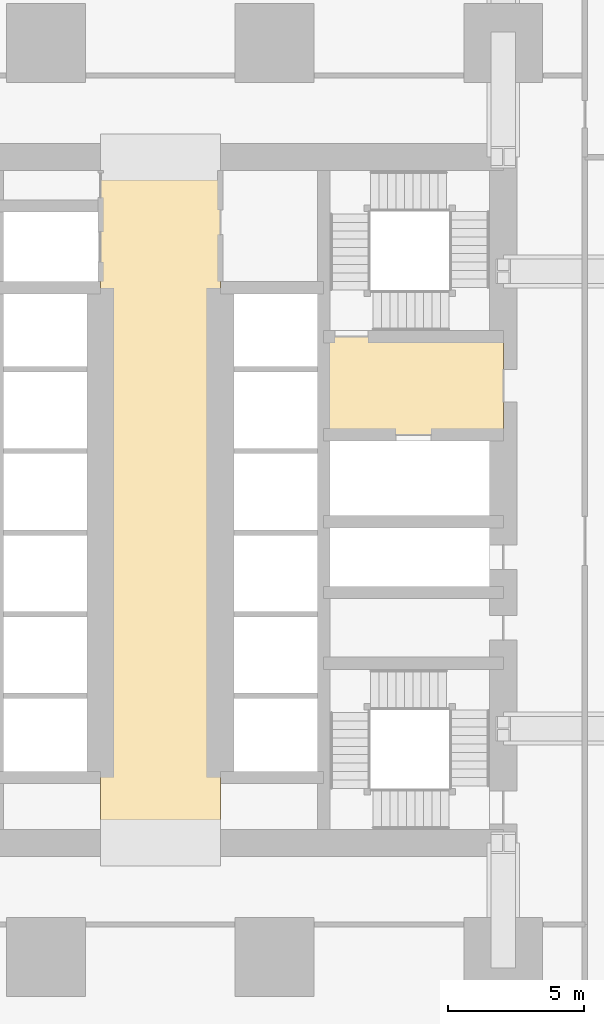
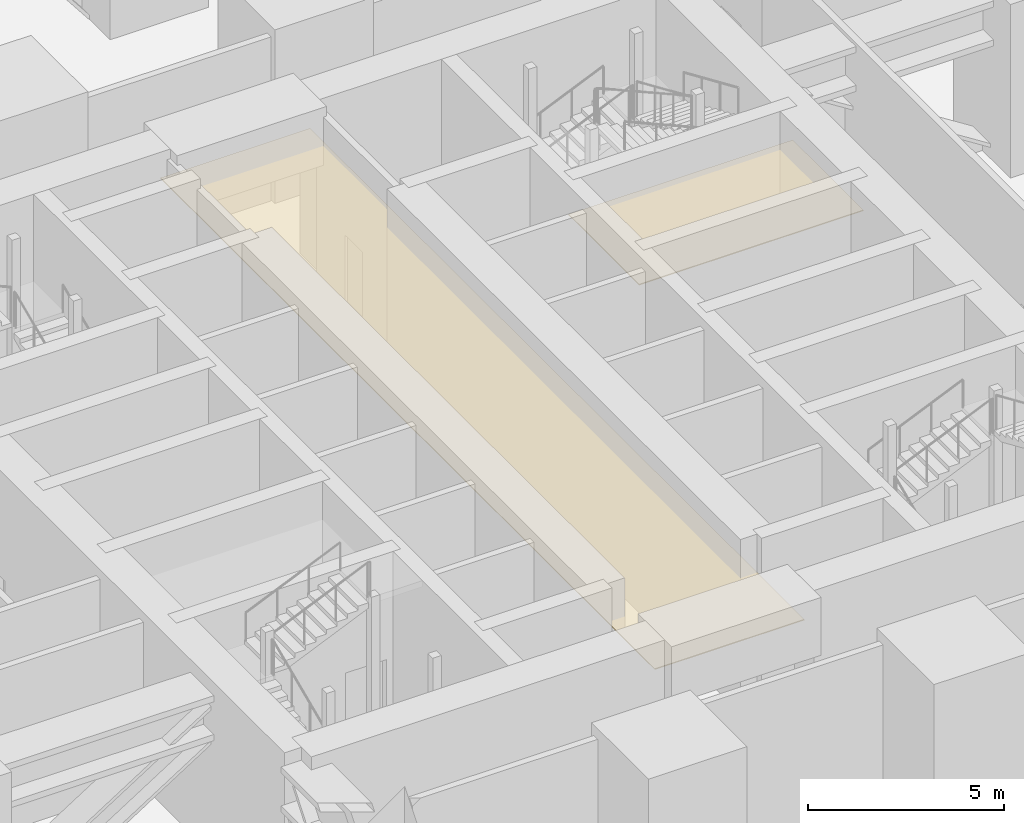
# One storey, part 15 of 16: 2 coverings.
"""IFC4 building model written with IfcOpenShell, lengths in metres."""

from ifc_helpers import new_model, si_unit, direction, frame, origin, place, context, subcontext, project, spatial, polyline, outline, extrude, material, layer, layer_set, type_object, element, save


model = new_model("IFC4")

# Units and contexts
model_context = context("Model", 3, precision=1e-05, world=origin(), true_north=direction((0.0, 1.0)))
body_context = subcontext(model_context, "Body", "Model", "MODEL_VIEW")
ifc_project = project(units=[si_unit("LENGTHUNIT", "METRE"), si_unit("AREAUNIT", "SQUARE_METRE"), si_unit("VOLUMEUNIT", "CUBIC_METRE"), si_unit("PLANEANGLEUNIT", "RADIAN"), si_unit("MASSUNIT", "GRAM", prefix="KILO")], contexts=[model_context])

# Site, building, storey
site_placement = place(None, origin())
site = spatial("IfcSite", under=ifc_project, at=site_placement, CompositionType="ELEMENT")
building_placement = place(site_placement, origin())
building = spatial("IfcBuilding", under=site, at=building_placement, Name="Rekha Terrace Tower", CompositionType="ELEMENT")
storey_placement = place(building_placement, frame((0.0, 0.0, 85.39990234375)))
storey = spatial("IfcBuildingStorey", under=building, at=storey_placement, Name="L21", CompositionType="ELEMENT", Elevation=85.39990234375)

# Coverings
ifc_material = material(Name="Powder-coated aluminium pan", Category="aluminium")
ifc_layer = layer(ifc_material, 0.030029296875)
ifc_layer_set = layer_set([ifc_layer], Name="Powder-coated aluminium pan")
covering_type = type_object("IfcCoveringType", Name="CL3 300x1200 metal pan ceiling", PredefinedType="CEILING", material=ifc_layer_set)
covering_1_placement = place(storey_placement, frame((0.0, 0.0, 4.170166015625)))
element("IfcCovering", 1, at=covering_1_placement, inside=storey, type_object=covering_type, Name="Ceiling L21-LOBBY", PredefinedType="CEILING", context=body_context, shape_type="SweptSolid", body=[
    extrude(outline(polyline([(40.0, 46.199951171875), (35.60009765625, 46.199951171875), (35.60009765625, 21.0), (40.0, 21.0), (40.0, 46.199951171875)])), origin(), (0.0, 0.0, 1.0), 0.030029296875),
])
covering_2_placement = place(storey_placement, frame((0.0, 0.0, 4.170166015625)))
element("IfcCovering", 2, at=covering_2_placement, inside=storey, type_object=covering_type, Name="Ceiling L21-FLB2", PredefinedType="CEILING", context=body_context, shape_type="SweptSolid", body=[
    extrude(outline(polyline([(50.39990234375, 39.60009765625), (43.800048828125, 39.60009765625), (43.800048828125, 36.0), (50.39990234375, 36.0), (50.39990234375, 39.60009765625)])), origin(), (0.0, 0.0, 1.0), 0.030029296875),
])

save(model, "model.ifc")
